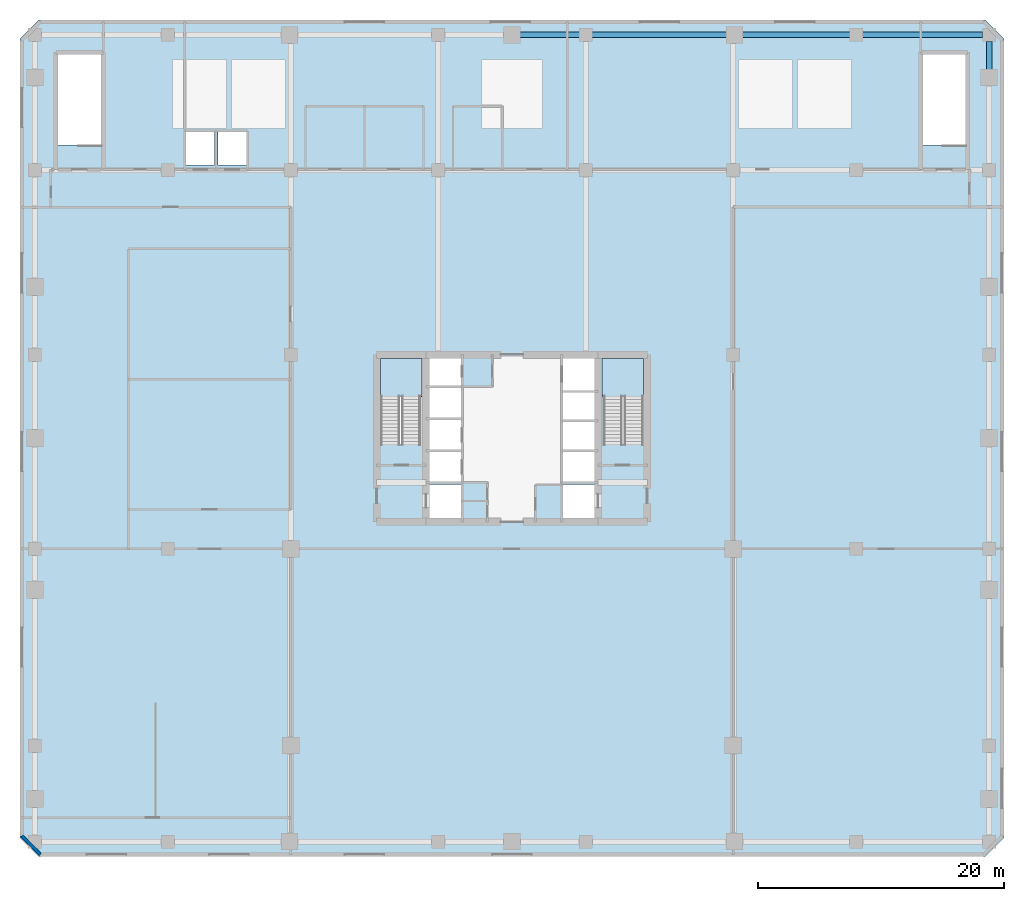
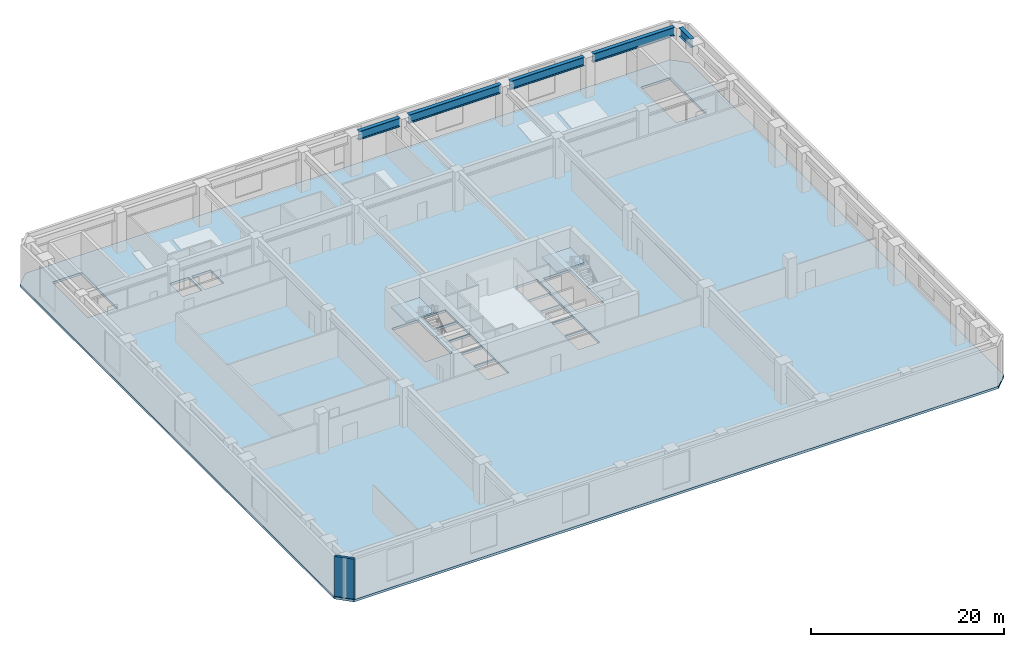
# One storey, part 2 of 12: 5 beams, 3 slabs, 1 wall, 2 elements without a shape of their own.
"""IFC4 building model written with IfcOpenShell, lengths in metres."""

from ifc_helpers import new_model, si_unit, direction, frame, frame_2d, origin, origin_2d, place, context, subcontext, project, spatial, polyline, rectangle, i_section, outline, extrude, material, layer, layer_set, material_profile, profile_set, type_object, element, aggregate, save


model = new_model("IFC4")

# Units and contexts
model_context = context("Model", 3, precision=1e-05, world=origin(), true_north=direction((0.0, 1.0)))
body_context = subcontext(model_context, "Body", "Model", "MODEL_VIEW")
ifc_project = project(units=[si_unit("LENGTHUNIT", "METRE"), si_unit("AREAUNIT", "SQUARE_METRE"), si_unit("VOLUMEUNIT", "CUBIC_METRE"), si_unit("PLANEANGLEUNIT", "RADIAN"), si_unit("MASSUNIT", "GRAM", prefix="KILO")], contexts=[model_context])

# Site, building, storey
site_placement = place(None, origin())
site = spatial("IfcSite", under=ifc_project, at=site_placement, CompositionType="ELEMENT")
building_placement = place(site_placement, origin())
building = spatial("IfcBuilding", under=site, at=building_placement, Name="Sarneth Arch Tower", CompositionType="ELEMENT")
storey_placement = place(building_placement, frame((0.0, 0.0, 16.800048828125)))
storey = spatial("IfcBuildingStorey", under=building, at=storey_placement, Name="L03", CompositionType="ELEMENT", Elevation=16.800048828125)

# Beams
ifc_material_1 = material(Name="Steel S355", Category="steel")
ifc_material_profile = material_profile(ifc_material_1, i_section(OverallWidth=0.449951171875, OverallDepth=1.10009765625, WebThickness=0.02001953125, FlangeThickness=0.0380859375, FilletRadius=0.02197265625, at=origin_2d()), Name="CVS1100x456")
ifc_profile_set = profile_set([ifc_material_profile], Name="Steel S355")
beam_type = type_object("IfcBeamType", Name="BM-XFER-1100", PredefinedType="BEAM", material=ifc_profile_set)
beam_1_placement = place(storey_placement, frame((48.52001953125, 74.800048828125, 4.5), z_axis=(1.0, 0.0, 0.0), x_axis=(0.0, 1.0, 0.0)))
element("IfcBeam", 1, at=beam_1_placement, inside=storey, type_object=beam_type, Name="L03 Podium PN girder 5", PredefinedType="BEAM", context=body_context, shape_type="SweptSolid", body=[
    extrude(i_section(OverallWidth=0.449951171875, OverallDepth=1.10009765625, WebThickness=0.02001953125, FlangeThickness=0.0380859375, FilletRadius=0.02197265625, at=origin_2d()), origin(), (0.0, 0.0, 1.0), 4.9599609375),
])
beam_2_placement = place(storey_placement, frame((54.52001953125, 74.800048828125, 4.5), z_axis=(1.0, 0.0, 0.0), x_axis=(0.0, 1.0, 0.0)))
element("IfcBeam", 2, at=beam_2_placement, inside=storey, type_object=beam_type, Name="L03 Podium PN girder 6", PredefinedType="BEAM", context=body_context, shape_type="SweptSolid", body=[
    extrude(i_section(OverallWidth=0.449951171875, OverallDepth=1.10009765625, WebThickness=0.02001953125, FlangeThickness=0.0380859375, FilletRadius=0.02197265625, at=origin_2d()), origin(), (0.0, 0.0, 1.0), 11.04443359375),
])
beam_3_placement = place(storey_placement, frame((66.6044921875, 74.800048828125, 4.5), z_axis=(1.0, 0.0, 0.0), x_axis=(0.0, 1.0, 0.0)))
element("IfcBeam", 3, at=beam_3_placement, inside=storey, type_object=beam_type, Name="L03 Podium PN girder 7", PredefinedType="BEAM", context=body_context, shape_type="SweptSolid", body=[
    extrude(i_section(OverallWidth=0.449951171875, OverallDepth=1.10009765625, WebThickness=0.02001953125, FlangeThickness=0.0380859375, FilletRadius=0.02197265625, at=origin_2d()), origin(), (0.0, 0.0, 1.0), 8.87548828125),
])
beam_4_placement = place(storey_placement, frame((76.52001953125, 74.800048828125, 4.5), z_axis=(1.0, 0.0, 0.0), x_axis=(0.0, 1.0, 0.0)))
element("IfcBeam", 4, at=beam_4_placement, inside=storey, type_object=beam_type, Name="L03 Podium PN girder 8", PredefinedType="BEAM", context=body_context, shape_type="SweptSolid", body=[
    extrude(i_section(OverallWidth=0.449951171875, OverallDepth=1.10009765625, WebThickness=0.02001953125, FlangeThickness=0.0380859375, FilletRadius=0.02197265625, at=origin_2d()), origin(), (0.0, 0.0, 1.0), 9.760009765625),
])
beam_5_placement = place(storey_placement, frame((86.800048828125, 71.856689453125, 4.5), z_axis=(0.0, 1.0, 0.0), x_axis=(-1.0, 0.0, 0.0)))
element("IfcBeam", 5, at=beam_5_placement, inside=storey, type_object=beam_type, Name="L03 Podium PE girder 10", PredefinedType="BEAM", context=body_context, shape_type="SweptSolid", body=[
    extrude(i_section(OverallWidth=0.449951171875, OverallDepth=1.10009765625, WebThickness=0.02001953125, FlangeThickness=0.0380859375, FilletRadius=0.02197265625, at=origin_2d()), origin(), (0.0, 0.0, 1.0), 2.42333984375),
])

# Slab
ifc_material_2 = material(Name="Concrete C50/60", Category="concrete")
ifc_layer_1 = layer(ifc_material_2, 0.300048828125)
ifc_layer_set_1 = layer_set([ifc_layer_1], Name="Concrete C50/60")
slab_type_1 = type_object("IfcSlabType", Name="SLAB-BALL-300", PredefinedType="FLOOR", material=ifc_layer_set_1)
slab_1_placement = place(storey_placement, frame((0.0, 0.0, -0.300048828125)))
element("IfcSlab", 6, at=slab_1_placement, inside=storey, type_object=slab_type_1, Name="L03 Podium bridge and transfer slab", PredefinedType="FLOOR", context=body_context, shape_type="SweptSolid", body=[
    extrude(outline(polyline([(9.5, 8.0), (86.5, 8.0), (88.0, 9.5), (88.0, 74.5), (86.5, 76.0), (9.5, 76.0), (8.0, 74.5), (8.0, 9.5), (9.5, 8.0)]), holes=[polyline([(37.35009765625, 41.489990234375), (40.550048828125, 41.489990234375), (40.550048828125, 48.39990234375), (37.35009765625, 48.39990234375), (37.35009765625, 41.489990234375)]), polyline([(55.449951171875, 41.489990234375), (58.64990234375, 41.489990234375), (58.64990234375, 48.39990234375), (55.449951171875, 48.39990234375), (55.449951171875, 41.489990234375)]), polyline([(11.10009765625, 65.840087890625), (14.60009765625, 65.840087890625), (14.60009765625, 73.199951171875), (11.10009765625, 73.199951171875), (11.10009765625, 65.840087890625)]), polyline([(81.39990234375, 65.840087890625), (84.89990234375, 65.840087890625), (84.89990234375, 73.199951171875), (81.39990234375, 73.199951171875), (81.39990234375, 65.840087890625)]), polyline([(41.199951171875, 46.25), (43.85009765625, 46.25), (43.85009765625, 48.550048828125), (41.199951171875, 48.550048828125), (41.199951171875, 46.25)]), polyline([(41.300048828125, 35.449951171875), (43.85009765625, 35.449951171875), (43.85009765625, 38.25), (41.300048828125, 38.25), (41.300048828125, 35.449951171875)]), polyline([(52.14990234375, 35.449951171875), (54.699951171875, 35.449951171875), (54.699951171875, 38.25), (52.14990234375, 38.25), (52.14990234375, 35.449951171875)]), polyline([(52.14990234375, 45.85009765625), (54.800048828125, 45.85009765625), (54.800048828125, 48.550048828125), (52.14990234375, 48.550048828125), (52.14990234375, 45.85009765625)]), polyline([(41.300048828125, 38.449951171875), (43.85009765625, 38.449951171875), (43.85009765625, 40.89990234375), (41.300048828125, 40.89990234375), (41.300048828125, 38.449951171875)]), polyline([(41.300048828125, 41.050048828125), (43.85009765625, 41.050048828125), (43.85009765625, 43.5), (41.300048828125, 43.5), (41.300048828125, 41.050048828125)]), polyline([(41.300048828125, 43.64990234375), (43.85009765625, 43.64990234375), (43.85009765625, 46.10009765625), (41.300048828125, 46.10009765625), (41.300048828125, 43.64990234375)]), polyline([(52.14990234375, 38.449951171875), (54.699951171875, 38.449951171875), (54.699951171875, 40.89990234375), (52.14990234375, 40.89990234375), (52.14990234375, 38.449951171875)]), polyline([(52.14990234375, 41.050048828125), (54.699951171875, 41.050048828125), (54.699951171875, 43.35009765625), (52.14990234375, 43.35009765625), (52.14990234375, 41.050048828125)]), polyline([(52.14990234375, 43.5), (54.699951171875, 43.5), (54.699951171875, 45.75), (52.14990234375, 45.75), (52.14990234375, 43.5)]), polyline([(21.5, 64.199951171875), (23.800048828125, 64.199951171875), (23.800048828125, 66.89990234375), (21.5, 66.89990234375), (21.5, 64.199951171875)]), polyline([(24.10009765625, 64.199951171875), (26.39990234375, 64.199951171875), (26.39990234375, 66.89990234375), (24.10009765625, 66.89990234375), (24.10009765625, 64.199951171875)])]), origin(), (0.0, 0.0, 1.0), 0.300048828125),
])

# Stair, slab
ifc_material_3 = material(Name="Concrete C50/60", Category="concrete")
stair_type = type_object("IfcStairType", Name="STAIR-CORE-RC", PredefinedType="HALF_TURN_STAIR", material=ifc_material_3)
stair_1_placement = place(storey_placement, origin())
stair_1 = element("IfcStair", 7, at=stair_1_placement, inside=storey, type_object=stair_type, Name="L03 Core Exit Stair 1", PredefinedType="HALF_TURN_STAIR")
ifc_material_4 = material(Name="Concrete C50/60", Category="concrete")
ifc_layer_2 = layer(ifc_material_4, 0.199951171875)
ifc_layer_set_2 = layer_set([ifc_layer_2], Name="Concrete C50/60")
slab_type_2 = type_object("IfcSlabType", Name="SLAB-LANDING-200", PredefinedType="LANDING", material=ifc_layer_set_2)
slab_2_placement = place(storey_placement, frame((0.0, 0.0, 2.5)))
slab_2 = element("IfcSlab", 8, at=slab_2_placement, type_object=slab_type_2, Name="ST-1 landing 1", PredefinedType="LANDING", context=body_context, shape_type="SweptSolid", body=[
    extrude(outline(polyline([(37.300048828125, 45.409912109375), (40.699951171875, 45.409912109375), (40.699951171875, 48.5), (37.300048828125, 48.5), (37.300048828125, 45.409912109375)])), origin(), (0.0, 0.0, 1.0), 0.199951171875),
])
aggregate(stair_1, [slab_2])

stair_2_placement = place(storey_placement, origin())
stair_2 = element("IfcStair", 9, at=stair_2_placement, inside=storey, type_object=stair_type, Name="L03 Core Exit Stair 2", PredefinedType="HALF_TURN_STAIR")
slab_3_placement = place(storey_placement, frame((0.0, 0.0, 2.5)))
slab_3 = element("IfcSlab", 10, at=slab_3_placement, type_object=slab_type_2, Name="ST-2 landing 1", PredefinedType="LANDING", context=body_context, shape_type="SweptSolid", body=[
    extrude(outline(polyline([(55.300048828125, 45.409912109375), (58.699951171875, 45.409912109375), (58.699951171875, 48.5), (55.300048828125, 48.5), (55.300048828125, 45.409912109375)])), origin(), (0.0, 0.0, 1.0), 0.199951171875),
])
aggregate(stair_2, [slab_3])

# Wall
ifc_material_5 = material(Name="Extruded terracotta rainscreen on Concrete C40/50 backing", Category="masonry")
ifc_layer_3 = layer(ifc_material_5, 0.280029296875)
ifc_layer_set_3 = layer_set([ifc_layer_3], Name="Extruded terracotta rainscreen on Concrete C40/50 backing")
wall_type = type_object("IfcWallType", Name="WALL-EXT-TERRA-280", PredefinedType="SOLIDWALL", material=ifc_layer_set_3)
wall_placement = place(storey_placement, frame((8.14990234375, 9.64990234375, 0.0), z_axis=(0.0, 0.0, 1.0), x_axis=(0.707106781187, -0.707106781187, 0.0)))
element("IfcWall", 11, at=wall_placement, inside=storey, type_object=wall_type, Name="L03 Podium corner wall 8", PredefinedType="SOLIDWALL", context=body_context, shape_type="SweptSolid", body=[
    extrude(rectangle(XDim=2.121337890625, YDim=0.280029296875, at=frame_2d((1.060546875, 0.0))), origin(), (0.0, 0.0, 1.0), 5.050048828125),
])

save(model, "model.ifc")
